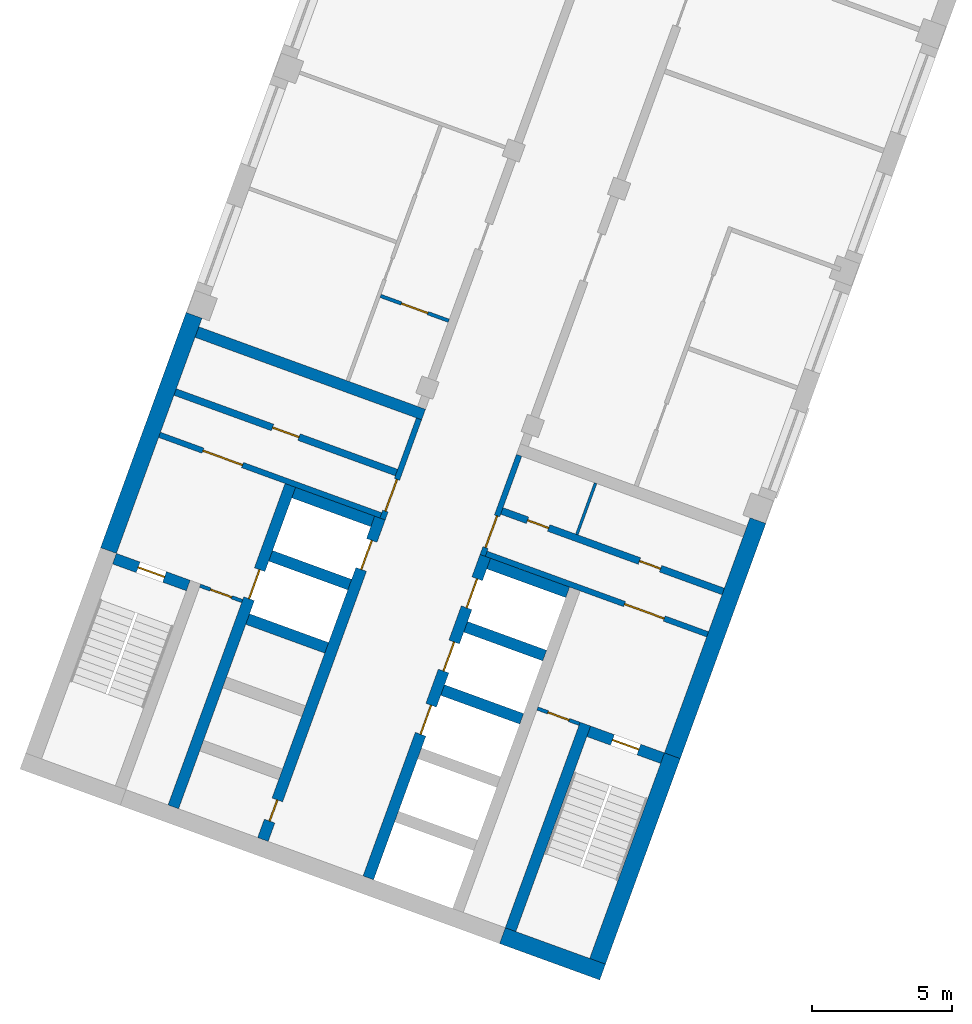
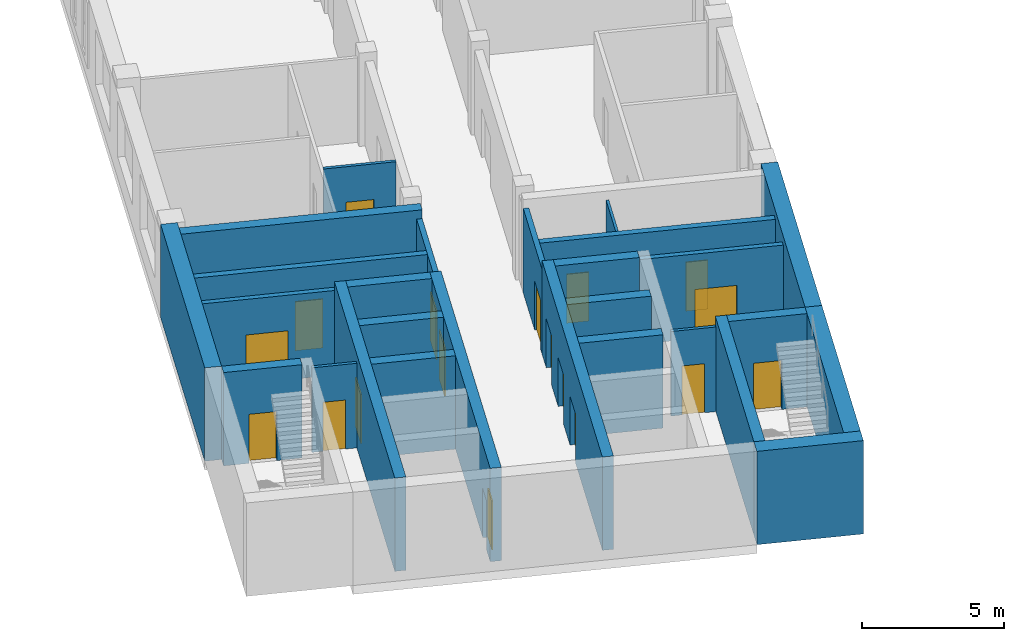
# One storey, part 2 of 10: 27 walls, 18 doors, 18 openings.
"""IFC4 building model written with IfcOpenShell, lengths in metres."""

import ifcopenshell
import ifcopenshell.guid

model = None  # the IFC model being written
_history = None  # IfcOwnerHistory: only IFC2X3 demands one
_inside = {}  # id of a spatial element -> (the spatial element, [elements in it])
_under = {}  # id of a project, library or spatial element -> (it, [spatial elements below it])
_declared = {}  # id of a project -> (the project, [libraries it declares])
_typed = {}  # id of a type object -> (the type object, [elements of that type])
_made_of = {}  # id of a material, layer set ... -> (it, [elements and type objects made of it])


def new_model(schema):
    """Start an empty IFC model of exactly this schema.

    Asked for "IFC4X3", IfcOpenShell would pick the latest addendum, in which some entities
    have other attributes; the version numbers below select the first issue.
    IFC2X3 requires an IfcOwnerHistory on every rooted entity: one is made here for all.
    """
    global model, _history
    if schema == "IFC4X3":
        model = ifcopenshell.file(schema_version=(4, 3, 0, 0))
    else:
        model = ifcopenshell.file(schema=schema)
    _inside.clear()
    _under.clear()
    _declared.clear()
    _typed.clear()
    _made_of.clear()
    _history = None
    if model.schema == "IFC2X3":
        org = make("IfcOrganization", Name="unknown")
        user = make(
            "IfcPersonAndOrganization",
            ThePerson=make("IfcPerson", FamilyName="unknown"),
            TheOrganization=org,
        )
        app = make(
            "IfcApplication",
            ApplicationDeveloper=org,
            Version="unknown",
            ApplicationFullName="unknown",
            ApplicationIdentifier="unknown",
        )
        _history = make(
            "IfcOwnerHistory",
            OwningUser=user,
            OwningApplication=app,
            ChangeAction="ADDED",
            CreationDate=0,
        )
    return model


def make(cls, **values):
    """One entity of the class cls with the attributes given. An attribute that is None is left unset."""
    return model.create_entity(
        cls, **{name: value for name, value in values.items() if value is not None}
    )


def rooted(cls, **values):
    """An entity with a GlobalId (a new one), such as an element, a storey or a relation."""
    return make(cls, GlobalId=ifcopenshell.guid.new(), OwnerHistory=_history, **values)


def si_unit(unit_type, name, prefix=None):
    """IfcSIUnit, for example si_unit("LENGTHUNIT", "METRE", prefix="MILLI")."""
    return make("IfcSIUnit", UnitType=unit_type, Prefix=prefix, Name=name)


def assignment(units):
    """IfcUnitAssignment: the units of a project."""
    return None if units is None else make("IfcUnitAssignment", Units=units)


def point(xyz):
    """IfcCartesianPoint."""
    return None if xyz is None else make("IfcCartesianPoint", Coordinates=xyz)


def direction(xyz):
    """IfcDirection."""
    return None if xyz is None else make("IfcDirection", DirectionRatios=xyz)


def frame(location, z_axis=None, x_axis=None):
    """IfcAxis2Placement3D, a coordinate frame: its origin and axes. An axis left out is left unset."""
    return make(
        "IfcAxis2Placement3D",
        Location=point(location),
        Axis=direction(z_axis),
        RefDirection=direction(x_axis),
    )


def frame_2d(location, x_axis=None):
    """IfcAxis2Placement2D, a coordinate frame in the plane: its origin and x axis."""
    return make(
        "IfcAxis2Placement2D", Location=point(location), RefDirection=direction(x_axis)
    )


def origin():
    """The frame at (0, 0, 0) with its axes left unset."""
    return frame((0.0, 0.0, 0.0))


def place(relative_to, where):
    """IfcLocalPlacement: puts the frame where relative to a parent placement (None: the world)."""
    return make(
        "IfcLocalPlacement", PlacementRelTo=relative_to, RelativePlacement=where
    )


def context(
    kind, dimensions, precision=None, world=None, true_north=None, identifier=None
):
    """IfcGeometricRepresentationContext, for example the 3D "Model" context."""
    return make(
        "IfcGeometricRepresentationContext",
        ContextIdentifier=identifier,
        ContextType=kind,
        CoordinateSpaceDimension=dimensions,
        Precision=precision,
        WorldCoordinateSystem=world,
        TrueNorth=true_north,
    )


def subcontext(parent, identifier, kind, view, scale=None):
    """IfcGeometricRepresentationSubContext, for example "Body" below "Model"."""
    return make(
        "IfcGeometricRepresentationSubContext",
        ContextIdentifier=identifier,
        ContextType=kind,
        ParentContext=parent,
        TargetScale=scale,
        TargetView=view,
    )


def project(units=None, contexts=None):
    """IfcProject with its units and contexts."""
    return rooted(
        "IfcProject",
        Name="project",
        RepresentationContexts=contexts,
        UnitsInContext=assignment(units),
    )


def spatial(cls, under=None, at=None, **own):
    """A site, building, storey or space (cls), placed at a placement, below another one or the project."""
    s = rooted(cls, ObjectPlacement=at, **own)
    if under is not None:
        _under.setdefault(under.id(), (under, []))[1].append(s)
    return s


def profile(cls, at=None, kind="AREA", **sizes):
    """A parametric profile (cls). Its sizes go by their IFC names, for example OverallWidth=200.0."""
    return make(cls, ProfileType=kind, Position=at, **sizes)


def rectangle(**sizes):
    """IfcRectangleProfileDef."""
    return profile("IfcRectangleProfileDef", **sizes)


def extrude(swept, where, along, depth):
    """IfcExtrudedAreaSolid: the profile swept, set in the frame where, extruded along a direction by depth."""
    return make(
        "IfcExtrudedAreaSolid",
        SweptArea=swept,
        Position=where,
        ExtrudedDirection=direction(along),
        Depth=depth,
    )


def shape(context_of_items, identifier, shape_type, items):
    """IfcShapeRepresentation: the items that make up one representation, for example the "Body"."""
    return make(
        "IfcShapeRepresentation",
        ContextOfItems=context_of_items,
        RepresentationIdentifier=identifier,
        RepresentationType=shape_type,
        Items=items,
    )


def material(Name=None, Category=None):
    """IfcMaterial."""
    return make("IfcMaterial", Name=Name, Category=Category)


def layer(
    of_material, thickness, ventilated=None, Name=None, Category=None, Priority=None
):
    """IfcMaterialLayer: one layer of a wall or slab, of a material (None: an air gap)."""
    return make(
        "IfcMaterialLayer",
        Material=of_material,
        LayerThickness=thickness,
        IsVentilated=ventilated,
        Name=Name,
        Category=Category,
        Priority=Priority,
    )


def layer_set(layers, Name=None):
    """IfcMaterialLayerSet."""
    return make("IfcMaterialLayerSet", MaterialLayers=layers, LayerSetName=Name)


def made_of(thing, what):
    """Note that an element or type object is made of a material, layer set ...; save() writes the relation."""
    if what is not None:
        _made_of.setdefault(what.id(), (what, []))[1].append(thing)
    return thing


def type_object(cls, material=None, **own):
    """A type object (cls), such as IfcWallType, which elements share."""
    return made_of(rooted(cls, **own), material)


def element(
    cls,
    number,
    at=None,
    inside=None,
    cuts=None,
    type_object=None,
    material=None,
    context=None,
    identifier="Body",
    shape_type=None,
    held_by="IfcProductDefinitionShape",
    body=None,
    shapes=None,
    **own,
):
    """One element of the class cls, such as IfcWall. Its Tag is "e" and its number.

    at: its placement. inside: the storey or other place that contains it. cuts: it is an
    opening in that element (IfcRelVoidsElement). A single representation is given by context,
    identifier, shape_type and body (its items); several are given by shapes. held_by: the class
    of the entity that holds the representations. save() writes the other relations.
    """
    e = rooted(cls, Tag="e%d" % number, ObjectPlacement=at, **own)
    if body is not None:
        shapes = [shape(context, identifier, shape_type, body)]
    if shapes is not None:
        e.Representation = make(held_by, Representations=shapes)
    if inside is not None:
        _inside.setdefault(inside.id(), (inside, []))[1].append(e)
    if cuts is not None:
        rooted(
            "IfcRelVoidsElement", RelatingBuildingElement=cuts, RelatedOpeningElement=e
        )
    if type_object is not None:
        _typed.setdefault(type_object.id(), (type_object, []))[1].append(e)
    return made_of(e, material)


def fill(opening, filler):
    """IfcRelFillsElement: the door or window that sits in an opening."""
    return rooted(
        "IfcRelFillsElement",
        RelatingOpeningElement=opening,
        RelatedBuildingElement=filler,
    )


def aggregate(whole, parts):
    """IfcRelAggregates: a whole, such as a stair, and the parts it consists of."""
    return rooted("IfcRelAggregates", RelatingObject=whole, RelatedObjects=parts)


def save(model, path):
    """Write the relations noted so far, then the file.

    IfcRelAggregates (storeys below a building ...), IfcRelContainedInSpatialStructure (elements
    in a storey), IfcRelDefinesByType, IfcRelAssociatesMaterial and IfcRelDeclares: one each for
    every whole, place, type object, material and project.
    """
    for whole, parts in _under.values():
        aggregate(whole, parts)
    for where, things in _inside.values():
        rooted(
            "IfcRelContainedInSpatialStructure",
            RelatedElements=things,
            RelatingStructure=where,
        )
    for kind, things in _typed.values():
        rooted("IfcRelDefinesByType", RelatedObjects=things, RelatingType=kind)
    for what, things in _made_of.values():
        rooted("IfcRelAssociatesMaterial", RelatedObjects=things, RelatingMaterial=what)
    for by, libraries in _declared.values():
        rooted("IfcRelDeclares", RelatingContext=by, RelatedDefinitions=libraries)
    model.write(path)


model = new_model("IFC4")

# Units and contexts
model_context = context("Model", 3, precision=1e-05, world=origin(), true_north=direction((0.0, 1.0)))
body_context = subcontext(model_context, "Body", "Model", "MODEL_VIEW")
ifc_project = project(units=[si_unit("LENGTHUNIT", "METRE"), si_unit("AREAUNIT", "SQUARE_METRE"), si_unit("VOLUMEUNIT", "CUBIC_METRE"), si_unit("PLANEANGLEUNIT", "RADIAN"), si_unit("MASSUNIT", "GRAM", prefix="KILO")], contexts=[model_context])

# Site, building, storey
site_placement = place(None, origin())
site = spatial("IfcSite", under=ifc_project, at=site_placement, CompositionType="ELEMENT")
building_placement = place(site_placement, origin())
building = spatial("IfcBuilding", under=site, at=building_placement, Name="Skarvind Civic Tower", CompositionType="ELEMENT")
storey_placement = place(building_placement, frame((0.0, 0.0, 97.0)))
storey = spatial("IfcBuildingStorey", under=building, at=storey_placement, Name="L22", CompositionType="ELEMENT", Elevation=97.0)

# Wall, opening, door
ifc_material_1 = material(Name="Fire-rated masonry partition", Category="masonry")
ifc_layer_1 = layer(ifc_material_1, 0.199951171875)
ifc_layer_set_1 = layer_set([ifc_layer_1], Name="Core enclosure wall 200")
wall_type_1 = type_object("IfcWallType", Name="Core enclosure wall 200", PredefinedType="PARTITIONING", material=ifc_layer_set_1)
wall_1_placement = place(storey_placement, frame((31.491455078125, 93.693359375, 0.0), z_axis=(0.0, 0.0, 1.0), x_axis=(0.341995824804, 0.939701471648, 0.0)))
wall_1 = element("IfcWall", 1, at=wall_1_placement, inside=storey, type_object=wall_type_1, Name="Core wall C2", PredefinedType="PARTITIONING", context=body_context, shape_type="SweptSolid", body=[
    extrude(rectangle(XDim=3.800048828125, YDim=0.199951171875, at=frame_2d((1.89990234375, 0.0))), origin(), (0.0, 0.0, 1.0), 3.625),
])
opening_1_placement = place(wall_1_placement, frame((0.300048828125, 0.0, 0.0)))
opening_1 = element("IfcOpeningElement", 2, at=opening_1_placement, cuts=wall_1, Name="Opening D-L22-C2-06", PredefinedType="OPENING", context=body_context, shape_type="SweptSolid", body=[
    extrude(rectangle(XDim=1.199951171875, YDim=2.10009765625, at=frame_2d((0.60009765625, 1.050048828125))), frame((0.0, 0.10986328125, 0.0), z_axis=(0.0, -1.0, 0.0), x_axis=(1.0, 0.0, 0.0)), (0.0, 0.0, 1.0), 0.219970703125),
])
ifc_material_2 = material(Name="Fire-rated steel door", Category="steel")
door_type_1 = type_object("IfcDoorType", Name="Core lobby door 1200", OperationType="NOTDEFINED", PredefinedType="DOOR", material=ifc_material_2)
door_1_placement = place(opening_1_placement, origin())
door_1 = element("IfcDoor", 3, at=door_1_placement, inside=storey, type_object=door_type_1, Name="Fire door", OperationType="DOUBLE_DOOR_SINGLE_SWING", OverallHeight=2.10009765625, OverallWidth=1.199951171875, PredefinedType="DOOR", context=body_context, shape_type="SweptSolid", body=[
    extrude(rectangle(XDim=1.199951171875, YDim=2.10009765625, at=frame_2d((0.60009765625, 1.050048828125))), frame((0.0, 0.02490234375, 0.0), z_axis=(0.0, -1.0, 0.0), x_axis=(1.0, 0.0, 0.0)), (0.0, 0.0, 1.0), 0.050048828125),
])
fill(opening_1, door_1)

wall_2_placement = place(storey_placement, frame((23.5380859375, 96.6943359375, 0.0), z_axis=(0.0, 0.0, 1.0), x_axis=(0.939691552312, -0.342023078919, 0.0)))
wall_2 = element("IfcWall", 4, at=wall_2_placement, inside=storey, type_object=wall_type_1, Name="Core wall C2", PredefinedType="PARTITIONING", context=body_context, shape_type="SweptSolid", body=[
    extrude(rectangle(XDim=8.400146484375, YDim=0.199951171875, at=frame_2d((4.2001953125, 0.0))), origin(), (0.0, 0.0, 1.0), 3.625),
])
opening_2_placement = place(wall_2_placement, frame((1.64990234375, 0.0, 0.0)))
opening_2 = element("IfcOpeningElement", 5, at=opening_2_placement, cuts=wall_2, Name="Opening D-L22-C2-07", PredefinedType="OPENING", context=body_context, shape_type="SweptSolid", body=[
    extrude(rectangle(XDim=1.5, YDim=2.10009765625, at=frame_2d((0.75, 1.050048828125))), frame((0.0, 0.10986328125, 0.0), z_axis=(0.0, -1.0, 0.0), x_axis=(1.0, 0.0, 0.0)), (0.0, 0.0, 1.0), 0.219970703125),
])
door_type_2 = type_object("IfcDoorType", Name="Fire door 1500", OperationType="NOTDEFINED", PredefinedType="DOOR", material=ifc_material_2)
door_2_placement = place(opening_2_placement, origin())
door_2 = element("IfcDoor", 6, at=door_2_placement, inside=storey, type_object=door_type_2, Name="Fire door", OperationType="DOUBLE_DOOR_SINGLE_SWING", OverallHeight=2.10009765625, OverallWidth=1.5, PredefinedType="DOOR", context=body_context, shape_type="SweptSolid", body=[
    extrude(rectangle(XDim=1.5, YDim=2.10009765625, at=frame_2d((0.75, 1.050048828125))), frame((0.0, 0.02490234375, 0.0), z_axis=(0.0, -1.0, 0.0), x_axis=(1.0, 0.0, 0.0)), (0.0, 0.0, 1.0), 0.050048828125),
])
fill(opening_2, door_2)

wall_3_placement = place(storey_placement, frame((36.36181640625, 95.96435546875, 0.0), z_axis=(0.0, 0.0, 1.0), x_axis=(-0.341995824804, -0.939701471648, 0.0)))
wall_3 = element("IfcWall", 7, at=wall_3_placement, inside=storey, type_object=wall_type_1, Name="Core wall C2", PredefinedType="PARTITIONING", context=body_context, shape_type="SweptSolid", body=[
    extrude(rectangle(XDim=3.800048828125, YDim=0.199951171875, at=frame_2d((1.89990234375, 0.0))), origin(), (0.0, 0.0, 1.0), 3.625),
])
opening_3_placement = place(wall_3_placement, frame((2.300048828125, 0.0, 0.0)))
opening_3 = element("IfcOpeningElement", 8, at=opening_3_placement, cuts=wall_3, Name="Opening D-L22-C2-11", PredefinedType="OPENING", context=body_context, shape_type="SweptSolid", body=[
    extrude(rectangle(XDim=1.199951171875, YDim=2.10009765625, at=frame_2d((0.60009765625, 1.050048828125))), frame((0.0, 0.10986328125, 0.0), z_axis=(0.0, -1.0, 0.0), x_axis=(1.0, 0.0, 0.0)), (0.0, 0.0, 1.0), 0.219970703125),
])
door_3_placement = place(opening_3_placement, origin())
door_3 = element("IfcDoor", 9, at=door_3_placement, inside=storey, type_object=door_type_1, Name="Fire door", OperationType="DOUBLE_DOOR_SINGLE_SWING", OverallHeight=2.10009765625, OverallWidth=1.199951171875, PredefinedType="DOOR", context=body_context, shape_type="SweptSolid", body=[
    extrude(rectangle(XDim=1.199951171875, YDim=2.10009765625, at=frame_2d((0.60009765625, 1.050048828125))), frame((0.0, 0.02490234375, 0.0), z_axis=(0.0, -1.0, 0.0), x_axis=(1.0, 0.0, 0.0)), (0.0, 0.0, 1.0), 0.050048828125),
])
fill(opening_3, door_3)

wall_4_placement = place(storey_placement, frame((35.1904296875, 92.453369140625, 0.0), z_axis=(0.0, 0.0, 1.0), x_axis=(0.939691552312, -0.342023078919, 0.0)))
wall_4 = element("IfcWall", 10, at=wall_4_placement, inside=storey, type_object=wall_type_1, Name="Core wall C2", PredefinedType="PARTITIONING", context=body_context, shape_type="SweptSolid", body=[
    extrude(rectangle(XDim=8.400146484375, YDim=0.199951171875, at=frame_2d((4.2001953125, 0.0))), origin(), (0.0, 0.0, 1.0), 3.625),
])
opening_4_placement = place(wall_4_placement, frame((5.25, 0.0, 0.0)))
opening_4 = element("IfcOpeningElement", 11, at=opening_4_placement, cuts=wall_4, Name="Opening D-L22-C2-12", PredefinedType="OPENING", context=body_context, shape_type="SweptSolid", body=[
    extrude(rectangle(XDim=1.5, YDim=2.10009765625, at=frame_2d((0.75, 1.050048828125))), frame((0.0, 0.10986328125, 0.0), z_axis=(0.0, -1.0, 0.0), x_axis=(1.0, 0.0, 0.0)), (0.0, 0.0, 1.0), 0.219970703125),
])
door_4_placement = place(opening_4_placement, origin())
door_4 = element("IfcDoor", 12, at=door_4_placement, inside=storey, type_object=door_type_2, Name="Fire door", OperationType="DOUBLE_DOOR_SINGLE_SWING", OverallHeight=2.10009765625, OverallWidth=1.5, PredefinedType="DOOR", context=body_context, shape_type="SweptSolid", body=[
    extrude(rectangle(XDim=1.5, YDim=2.10009765625, at=frame_2d((0.75, 1.050048828125))), frame((0.0, 0.02490234375, 0.0), z_axis=(0.0, -1.0, 0.0), x_axis=(1.0, 0.0, 0.0)), (0.0, 0.0, 1.0), 0.050048828125),
])
fill(opening_4, door_4)

# Walls
ifc_material_3 = material(Name="Fire-rated plasterboard partition")
ifc_layer_2 = layer(ifc_material_3, 0.10009765625)
ifc_layer_set_2 = layer_set([ifc_layer_2], Name="Core partition wall 100")
wall_type_2 = type_object("IfcWallType", Name="Core partition wall 100", PredefinedType="PARTITIONING", material=ifc_layer_set_2)
wall_5_placement = place(storey_placement, frame((39.087158203125, 94.97265625, 0.0), z_axis=(0.0, 0.0, 1.0), x_axis=(-0.342024501273, -0.939691034611, 0.0)))
element("IfcWall", 13, at=wall_5_placement, inside=storey, type_object=wall_type_2, Name="Core wall C2", PredefinedType="PARTITIONING", context=body_context, shape_type="SweptSolid", body=[
    extrude(rectangle(XDim=1.9501953125, YDim=0.10009765625, at=frame_2d((0.97509765625, 0.0))), origin(), (0.0, 0.0, 1.0), 3.625),
])
ifc_material_4 = material(Name="Concrete C80", Category="concrete")
ifc_layer_3 = layer(ifc_material_4, 0.39990234375)
ifc_layer_set_3 = layer_set([ifc_layer_3], Name="Core wall 400 C80")
wall_type_3 = type_object("IfcWallType", Name="Core wall 400 C80", PredefinedType="SHEAR", material=ifc_layer_set_3)
wall_6_placement = place(storey_placement, frame((36.057861328125, 79.04833984375, 0.0), z_axis=(0.0, 0.0, 1.0), x_axis=(0.342016982193, 0.939693771338, 0.0)))
element("IfcWall", 14, at=wall_6_placement, inside=storey, type_object=wall_type_3, Name="Core wall C2 south stair inner L22", PredefinedType="SHEAR", context=body_context, shape_type="SweptSolid", body=[
    extrude(rectangle(XDim=7.800048828125, YDim=0.39990234375, at=frame_2d((3.89990234375, 0.0))), origin(), (0.0, 0.0, 1.0), 4.0),
])

# Wall, opening, door
wall_7_placement = place(storey_placement, frame((41.476318359375, 85.163818359375, 0.0), z_axis=(0.0, 0.0, 1.0), x_axis=(-0.939678810556, 0.342058084236, 0.0)))
wall_7 = element("IfcWall", 15, at=wall_7_placement, inside=storey, type_object=wall_type_3, Name="Core wall C2 south stair end L22", PredefinedType="SHEAR", context=body_context, shape_type="SweptSolid", body=[
    extrude(rectangle(XDim=2.800048828125, YDim=0.39990234375, at=frame_2d((1.39990234375, 0.0))), origin(), (0.0, 0.0, 1.0), 4.0),
])
opening_5_placement = place(wall_7_placement, frame((0.89990234375, 0.0, 0.0)))
opening_5 = element("IfcOpeningElement", 16, at=opening_5_placement, cuts=wall_7, Name="Opening D-L22-C2-13", PredefinedType="OPENING", context=body_context, shape_type="SweptSolid", body=[
    extrude(rectangle(XDim=1.0, YDim=2.10009765625, at=frame_2d((0.5, 1.050048828125))), frame((0.0, 0.2099609375, 0.0), z_axis=(0.0, -1.0, 0.0), x_axis=(1.0, 0.0, 0.0)), (0.0, 0.0, 1.0), 0.419921875),
])
door_type_3 = type_object("IfcDoorType", Name="Fire door 1000", OperationType="NOTDEFINED", PredefinedType="DOOR", material=ifc_material_2)
door_5_placement = place(opening_5_placement, origin())
door_5 = element("IfcDoor", 17, at=door_5_placement, inside=storey, type_object=door_type_3, Name="Fire door", OperationType="SINGLE_SWING_RIGHT", OverallHeight=2.10009765625, OverallWidth=1.0, PredefinedType="DOOR", context=body_context, shape_type="SweptSolid", body=[
    extrude(rectangle(XDim=1.0, YDim=2.10009765625, at=frame_2d((0.5, 1.050048828125))), frame((0.0, 0.02490234375, 0.0), z_axis=(0.0, -1.0, 0.0), x_axis=(1.0, 0.0, 0.0)), (0.0, 0.0, 1.0), 0.050048828125),
])
fill(opening_5, door_5)

wall_8_placement = place(storey_placement, frame((24.56201171875, 91.3203125, 0.0), z_axis=(0.0, 0.0, 1.0), x_axis=(-0.939717030584, 0.341953070509, 0.0)))
wall_8 = element("IfcWall", 18, at=wall_8_placement, inside=storey, type_object=wall_type_3, Name="Core wall C2 north stair end L22", PredefinedType="SHEAR", context=body_context, shape_type="SweptSolid", body=[
    extrude(rectangle(XDim=2.800048828125, YDim=0.39990234375, at=frame_2d((1.39990234375, 0.0))), origin(), (0.0, 0.0, 1.0), 4.0),
])
opening_6_placement = place(wall_8_placement, frame((0.89990234375, 0.0, 0.0)))
opening_6 = element("IfcOpeningElement", 19, at=opening_6_placement, cuts=wall_8, Name="Opening D-L22-C2-08", PredefinedType="OPENING", context=body_context, shape_type="SweptSolid", body=[
    extrude(rectangle(XDim=1.0, YDim=2.10009765625, at=frame_2d((0.5, 1.050048828125))), frame((0.0, 0.2099609375, 0.0), z_axis=(0.0, -1.0, 0.0), x_axis=(1.0, 0.0, 0.0)), (0.0, 0.0, 1.0), 0.419921875),
])
door_6_placement = place(opening_6_placement, origin())
door_6 = element("IfcDoor", 20, at=door_6_placement, inside=storey, type_object=door_type_3, Name="Fire door", OperationType="SINGLE_SWING_LEFT", OverallHeight=2.10009765625, OverallWidth=1.0, PredefinedType="DOOR", context=body_context, shape_type="SweptSolid", body=[
    extrude(rectangle(XDim=1.0, YDim=2.10009765625, at=frame_2d((0.5, 1.050048828125))), frame((0.0, 0.02490234375, 0.0), z_axis=(0.0, -1.0, 0.0), x_axis=(1.0, 0.0, 0.0)), (0.0, 0.0, 1.0), 0.050048828125),
])
fill(opening_6, door_6)

# Wall, openings, doors
wall_9_placement = place(storey_placement, frame((30.983642578125, 80.895263671875, 0.0), z_axis=(0.0, 0.0, 1.0), x_axis=(0.342021021735, 0.939692301071, 0.0)))
wall_9 = element("IfcWall", 21, at=wall_9_placement, inside=storey, type_object=wall_type_3, Name="Core wall C2 south lift row front L22", PredefinedType="SHEAR", context=body_context, shape_type="SweptSolid", body=[
    extrude(rectangle(XDim=12.199951171875, YDim=0.39990234375, at=frame_2d((6.10009765625, 0.0))), origin(), (0.0, 0.0, 1.0), 4.0),
])
opening_7_placement = place(wall_9_placement, frame((5.449951171875, 0.0, 0.0)))
opening_7 = element("IfcOpeningElement", 22, at=opening_7_placement, cuts=wall_9, Name="Opening LD24208", PredefinedType="OPENING", context=body_context, shape_type="SweptSolid", body=[
    extrude(rectangle(XDim=1.10009765625, YDim=2.10009765625, at=frame_2d((0.550048828125, 1.050048828125))), frame((0.0, 0.2099609375, 0.0), z_axis=(0.0, -1.0, 0.0), x_axis=(1.0, 0.0, 0.0)), (0.0, 0.0, 1.0), 0.419921875),
])
opening_8_placement = place(wall_9_placement, frame((7.85009765625, 0.0, 0.0)))
opening_8 = element("IfcOpeningElement", 23, at=opening_8_placement, cuts=wall_9, Name="Opening LD24209", PredefinedType="OPENING", context=body_context, shape_type="SweptSolid", body=[
    extrude(rectangle(XDim=1.10009765625, YDim=2.10009765625, at=frame_2d((0.550048828125, 1.050048828125))), frame((0.0, 0.2099609375, 0.0), z_axis=(0.0, -1.0, 0.0), x_axis=(1.0, 0.0, 0.0)), (0.0, 0.0, 1.0), 0.419921875),
])
opening_9_placement = place(wall_9_placement, frame((10.25, 0.0, 0.0)))
opening_9 = element("IfcOpeningElement", 24, at=opening_9_placement, cuts=wall_9, Name="Opening LD24210", PredefinedType="OPENING", context=body_context, shape_type="SweptSolid", body=[
    extrude(rectangle(XDim=1.10009765625, YDim=2.10009765625, at=frame_2d((0.550048828125, 1.050048828125))), frame((0.0, 0.2099609375, 0.0), z_axis=(0.0, -1.0, 0.0), x_axis=(1.0, 0.0, 0.0)), (0.0, 0.0, 1.0), 0.419921875),
])
ifc_material_5 = material(Name="Stainless steel landing door", Category="steel")
door_type_4 = type_object("IfcDoorType", Name="Lift landing door 1100", OperationType="DOUBLE_DOOR_SLIDING", PredefinedType="DOOR", material=ifc_material_5)
door_7_placement = place(opening_7_placement, origin())
door_7 = element("IfcDoor", 25, at=door_7_placement, inside=storey, type_object=door_type_4, Name="Lift landing door", OperationType="DOUBLE_DOOR_SLIDING", OverallHeight=2.10009765625, OverallWidth=1.10009765625, PredefinedType="DOOR", context=body_context, shape_type="SweptSolid", body=[
    extrude(rectangle(XDim=1.10009765625, YDim=2.10009765625, at=frame_2d((0.550048828125, 1.050048828125))), frame((0.0, 0.02490234375, 0.0), z_axis=(0.0, -1.0, 0.0), x_axis=(1.0, 0.0, 0.0)), (0.0, 0.0, 1.0), 0.050048828125),
])
fill(opening_7, door_7)
door_8_placement = place(opening_8_placement, origin())
door_8 = element("IfcDoor", 26, at=door_8_placement, inside=storey, type_object=door_type_4, Name="Lift landing door", OperationType="DOUBLE_DOOR_SLIDING", OverallHeight=2.10009765625, OverallWidth=1.10009765625, PredefinedType="DOOR", context=body_context, shape_type="SweptSolid", body=[
    extrude(rectangle(XDim=1.10009765625, YDim=2.10009765625, at=frame_2d((0.550048828125, 1.050048828125))), frame((0.0, 0.02490234375, 0.0), z_axis=(0.0, -1.0, 0.0), x_axis=(1.0, 0.0, 0.0)), (0.0, 0.0, 1.0), 0.050048828125),
])
fill(opening_8, door_8)
door_9_placement = place(opening_9_placement, origin())
door_9 = element("IfcDoor", 27, at=door_9_placement, inside=storey, type_object=door_type_4, Name="Lift landing door", OperationType="DOUBLE_DOOR_SLIDING", OverallHeight=2.10009765625, OverallWidth=1.10009765625, PredefinedType="DOOR", context=body_context, shape_type="SweptSolid", body=[
    extrude(rectangle(XDim=1.10009765625, YDim=2.10009765625, at=frame_2d((0.550048828125, 1.050048828125))), frame((0.0, 0.02490234375, 0.0), z_axis=(0.0, -1.0, 0.0), x_axis=(1.0, 0.0, 0.0)), (0.0, 0.0, 1.0), 0.050048828125),
])
fill(opening_9, door_9)

# Walls
for number, where, z_axis, x_axis, name in (
    (28, (36.453125, 86.56640625, 0.0), (0.0, 0.0, 1.0), (-0.939686455819, 0.342037080957, 0.0), "Core wall C2 south lift row division 3 L22"),
    (29, (37.27392578125, 88.82177734375, 0.0), (0.0, 0.0, 1.0), (-0.939686455819, 0.342037080957, 0.0), "Core wall C2 south lift row division 4 L22"),
):
    element("IfcWall", number, at=place(storey_placement, frame(where, z_axis=z_axis, x_axis=x_axis)), inside=storey, type_object=wall_type_3, Name=name, PredefinedType="SHEAR", context=body_context, shape_type="SweptSolid", body=[
        extrude(rectangle(XDim=3.0, YDim=0.39990234375, at=frame_2d((1.5, 0.0))), origin(), (0.0, 0.0, 1.0), 4.0),
    ])
wall_10_placement = place(storey_placement, frame((38.0947265625, 91.076904296875, 0.0), z_axis=(0.0, 0.0, 1.0), x_axis=(-0.939676934218, 0.342063238742, 0.0)))
element("IfcWall", 30, at=wall_10_placement, inside=storey, type_object=wall_type_3, Name="Core wall C2 south lift row division 5 L22", PredefinedType="SHEAR", context=body_context, shape_type="SweptSolid", body=[
    extrude(rectangle(XDim=2.999755859375, YDim=0.39990234375, at=frame_2d((1.5, 0.0))), origin(), (0.0, 0.0, 1.0), 4.0),
])

# Wall, openings, doors
wall_11_placement = place(storey_placement, frame((27.224853515625, 82.26318359375, 0.0), z_axis=(0.0, 0.0, 1.0), x_axis=(0.342014590177, 0.939694641948, 0.0)))
wall_11 = element("IfcWall", 31, at=wall_11_placement, inside=storey, type_object=wall_type_3, Name="Core wall C2 north lift row front L22", PredefinedType="SHEAR", context=body_context, shape_type="SweptSolid", body=[
    extrude(rectangle(XDim=12.2001953125, YDim=0.39990234375, at=frame_2d((6.10009765625, 0.0))), origin(), (0.0, 0.0, 1.0), 4.0),
])
opening_10_placement = place(wall_11_placement, frame((10.25, 0.0, 0.0)))
opening_10 = element("IfcOpeningElement", 32, at=opening_10_placement, cuts=wall_11, Name="Opening LD24205", PredefinedType="OPENING", context=body_context, shape_type="SweptSolid", body=[
    extrude(rectangle(XDim=1.10009765625, YDim=2.10009765625, at=frame_2d((0.550048828125, 1.050048828125))), frame((0.0, 0.2099609375, 0.0), z_axis=(0.0, -1.0, 0.0), x_axis=(1.0, 0.0, 0.0)), (0.0, 0.0, 1.0), 0.419921875),
])
opening_11_placement = place(wall_11_placement, frame((0.699951171875, 0.0, 0.0)))
opening_11 = element("IfcOpeningElement", 33, at=opening_11_placement, cuts=wall_11, Name="Opening D-L22-C2-05", PredefinedType="OPENING", context=body_context, shape_type="SweptSolid", body=[
    extrude(rectangle(XDim=0.800048828125, YDim=2.10009765625, at=frame_2d((0.39990234375, 1.050048828125))), frame((0.0, 0.2099609375, 0.0), z_axis=(0.0, -1.0, 0.0), x_axis=(1.0, 0.0, 0.0)), (0.0, 0.0, 1.0), 0.419921875),
])
door_type_5 = type_object("IfcDoorType", Name="Core riser door 800", OperationType="NOTDEFINED", PredefinedType="DOOR", material=ifc_material_2)
door_10_placement = place(opening_11_placement, origin())
door_10 = element("IfcDoor", 34, at=door_10_placement, inside=storey, type_object=door_type_5, Name="Riser door", OperationType="SINGLE_SWING_LEFT", OverallHeight=2.10009765625, OverallWidth=0.800048828125, PredefinedType="DOOR", context=body_context, shape_type="SweptSolid", body=[
    extrude(rectangle(XDim=0.800048828125, YDim=2.10009765625, at=frame_2d((0.39990234375, 1.050048828125))), frame((0.0, 0.02490234375, 0.0), z_axis=(0.0, -1.0, 0.0), x_axis=(1.0, 0.0, 0.0)), (0.0, 0.0, 1.0), 0.050048828125),
])
fill(opening_11, door_10)
door_11_placement = place(opening_10_placement, origin())
door_11 = element("IfcDoor", 35, at=door_11_placement, inside=storey, type_object=door_type_4, Name="Lift landing door", OperationType="DOUBLE_DOOR_SLIDING", OverallHeight=2.10009765625, OverallWidth=1.10009765625, PredefinedType="DOOR", context=body_context, shape_type="SweptSolid", body=[
    extrude(rectangle(XDim=1.10009765625, YDim=2.10009765625, at=frame_2d((0.550048828125, 1.050048828125))), frame((0.0, 0.02490234375, 0.0), z_axis=(0.0, -1.0, 0.0), x_axis=(1.0, 0.0, 0.0)), (0.0, 0.0, 1.0), 0.050048828125),
])
fill(opening_10, door_11)

# Wall, opening, door
wall_12_placement = place(storey_placement, frame((24.02978515625, 83.426025390625, 0.0), z_axis=(0.0, 0.0, 1.0), x_axis=(0.342014590177, 0.939694641948, 0.0)))
wall_12 = element("IfcWall", 36, at=wall_12_placement, inside=storey, type_object=wall_type_3, Name="Core wall C2 north lift row back L22", PredefinedType="SHEAR", context=body_context, shape_type="SweptSolid", body=[
    extrude(rectangle(XDim=12.2001953125, YDim=0.39990234375, at=frame_2d((6.10009765625, 0.0))), origin(), (0.0, 0.0, 1.0), 4.0),
])
opening_12_placement = place(wall_12_placement, frame((7.89990234375, 0.0, 0.0)))
opening_12 = element("IfcOpeningElement", 37, at=opening_12_placement, cuts=wall_12, Name="Opening LD24204", PredefinedType="OPENING", context=body_context, shape_type="SweptSolid", body=[
    extrude(rectangle(XDim=1.10009765625, YDim=2.10009765625, at=frame_2d((0.550048828125, 1.050048828125))), frame((0.0, 0.2099609375, 0.0), z_axis=(0.0, -1.0, 0.0), x_axis=(1.0, 0.0, 0.0)), (0.0, 0.0, 1.0), 0.419921875),
])
door_12_placement = place(opening_12_placement, origin())
door_12 = element("IfcDoor", 38, at=door_12_placement, inside=storey, type_object=door_type_4, Name="Lift landing door", OperationType="DOUBLE_DOOR_SLIDING", OverallHeight=2.10009765625, OverallWidth=1.10009765625, PredefinedType="DOOR", context=body_context, shape_type="SweptSolid", body=[
    extrude(rectangle(XDim=1.10009765625, YDim=2.10009765625, at=frame_2d((0.550048828125, 1.050048828125))), frame((0.0, 0.02490234375, 0.0), z_axis=(0.0, -1.0, 0.0), x_axis=(1.0, 0.0, 0.0)), (0.0, 0.0, 1.0), 0.050048828125),
])
fill(opening_12, door_12)

# Walls
for number, where, z_axis, x_axis, name in (
    (39, (29.49951171875, 89.097412109375, 0.0), (0.0, 0.0, 1.0), (-0.939686455819, 0.342037080957, 0.0), "Core wall C2 north lift row division 3 L22"),
    (40, (30.3203125, 91.352783203125, 0.0), (0.0, 0.0, 1.0), (-0.939712609717, 0.341965219194, 0.0), "Core wall C2 north lift row division 4 L22"),
    (41, (31.14111328125, 93.60791015625, 0.0), (0.0, 0.0, 1.0), (-0.939686455819, 0.342037080957, 0.0), "Core wall C2 north lift row division 5 L22"),
):
    element("IfcWall", number, at=place(storey_placement, frame(where, z_axis=z_axis, x_axis=x_axis)), inside=storey, type_object=wall_type_3, Name=name, PredefinedType="SHEAR", context=body_context, shape_type="SweptSolid", body=[
        extrude(rectangle(XDim=3.0, YDim=0.39990234375, at=frame_2d((1.5, 0.0))), origin(), (0.0, 0.0, 1.0), 4.0),
    ])
wall_13_placement = place(storey_placement, frame((32.953369140625, 97.417724609375, 0.0), z_axis=(0.0, 0.0, 1.0), x_axis=(-0.93969060187, 0.342025690201, 0.0)))
element("IfcWall", 42, at=wall_13_placement, inside=storey, type_object=wall_type_3, Name="Core wall C2 north inner face L22", PredefinedType="SHEAR", context=body_context, shape_type="SweptSolid", body=[
    extrude(rectangle(XDim=8.599853515625, YDim=0.39990234375, at=frame_2d((4.2998046875, 0.0))), origin(), (0.0, 0.0, 1.0), 4.0),
])
ifc_layer_4 = layer(ifc_material_4, 0.60009765625)
ifc_layer_set_4 = layer_set([ifc_layer_4], Name="Core wall 600 C80")
wall_type_4 = type_object("IfcWallType", Name="Core wall 600 C80", PredefinedType="SHEAR", material=ifc_layer_set_4)
wall_14_placement = place(storey_placement, frame((39.338134765625, 77.53515625, 0.0), z_axis=(0.0, 0.0, 1.0), x_axis=(-0.939701471648, 0.341995824804, 0.0)))
element("IfcWall", 43, at=wall_14_placement, inside=storey, type_object=wall_type_4, Name="Core wall C2 tip at the south stair L22", PredefinedType="SHEAR", context=body_context, shape_type="SweptSolid", body=[
    extrude(rectangle(XDim=3.800048828125, YDim=0.60009765625, at=frame_2d((1.89990234375, 0.0))), origin(), (0.0, 0.0, 1.0), 4.0),
])
wall_15_placement = place(storey_placement, frame((39.158935546875, 77.919677734375, 0.0), z_axis=(0.0, 0.0, 1.0), x_axis=(0.342016982193, 0.939693771338, 0.0)))
element("IfcWall", 44, at=wall_15_placement, inside=storey, type_object=wall_type_4, Name="Core wall C2 south side at the stair L22", PredefinedType="SHEAR", context=body_context, shape_type="SweptSolid", body=[
    extrude(rectangle(XDim=7.800048828125, YDim=0.60009765625, at=frame_2d((3.89990234375, 0.0))), origin(), (0.0, 0.0, 1.0), 4.0),
])
for number, where, z_axis, x_axis, name in (
    (45, (41.82666015625, 85.249267578125, 0.0), (0.0, 0.0, 1.0), (0.342017595281, 0.939693548195, 0.0), "Core wall C2 south side L22"),
    (46, (21.71728515625, 92.568359375, 0.0), (0.0, 0.0, 1.0), (0.342017595281, 0.939693548195, 0.0), "Core wall C2 north side L22"),
):
    element("IfcWall", number, at=place(storey_placement, frame(where, z_axis=z_axis, x_axis=x_axis)), inside=storey, type_object=wall_type_4, Name=name, PredefinedType="SHEAR", context=body_context, shape_type="SweptSolid", body=[
        extrude(rectangle(XDim=8.925048828125, YDim=0.60009765625, at=frame_2d((4.46240234375, 0.0))), origin(), (0.0, 0.0, 1.0), 4.0),
    ])

# Wall, opening, door
ifc_layer_5 = layer(ifc_material_1, 0.125)
ifc_layer_set_5 = layer_set([ifc_layer_5], Name="Riser wall 125")
wall_type_5 = type_object("IfcWallType", Name="Riser wall 125", PredefinedType="PARTITIONING", material=ifc_layer_set_5)
wall_16_placement = place(storey_placement, frame((24.98486328125, 91.3125, 0.0), z_axis=(0.0, 0.0, 1.0), x_axis=(0.939708740826, -0.341975850632, 0.0)))
wall_16 = element("IfcWall", 47, at=wall_16_placement, inside=storey, type_object=wall_type_5, Name="Core wall C2", PredefinedType="PARTITIONING", context=body_context, shape_type="SweptSolid", body=[
    extrude(rectangle(XDim=1.599853515625, YDim=0.125, at=frame_2d((0.7998046875, 0.0))), origin(), (0.0, 0.0, 1.0), 3.625),
])
opening_13_placement = place(wall_16_placement, frame((0.39990234375, 0.0, 0.0)))
opening_13 = element("IfcOpeningElement", 48, at=opening_13_placement, cuts=wall_16, Name="Opening D-L22-C2-09", PredefinedType="OPENING", context=body_context, shape_type="SweptSolid", body=[
    extrude(rectangle(XDim=0.800048828125, YDim=2.10009765625, at=frame_2d((0.39990234375, 1.050048828125))), frame((0.0, 0.072509765625, 0.0), z_axis=(0.0, -1.0, 0.0), x_axis=(1.0, 0.0, 0.0)), (0.0, 0.0, 1.0), 0.14501953125),
])
door_13_placement = place(opening_13_placement, origin())
door_13 = element("IfcDoor", 49, at=door_13_placement, inside=storey, type_object=door_type_5, Name="Riser door", OperationType="SINGLE_SWING_RIGHT", OverallHeight=2.10009765625, OverallWidth=0.800048828125, PredefinedType="DOOR", context=body_context, shape_type="SweptSolid", body=[
    extrude(rectangle(XDim=0.800048828125, YDim=2.10009765625, at=frame_2d((0.39990234375, 1.050048828125))), frame((0.0, 0.02490234375, 0.0), z_axis=(0.0, -1.0, 0.0), x_axis=(1.0, 0.0, 0.0)), (0.0, 0.0, 1.0), 0.050048828125),
])
fill(opening_13, door_13)

wall_17_placement = place(storey_placement, frame((37.012939453125, 86.934814453125, 0.0), z_axis=(0.0, 0.0, 1.0), x_axis=(0.939659694648, -0.342110593602, 0.0)))
wall_17 = element("IfcWall", 50, at=wall_17_placement, inside=storey, type_object=wall_type_5, Name="Core wall C2", PredefinedType="PARTITIONING", context=body_context, shape_type="SweptSolid", body=[
    extrude(rectangle(XDim=1.599853515625, YDim=0.125, at=frame_2d((0.7998046875, 0.0))), origin(), (0.0, 0.0, 1.0), 3.625),
])
opening_14_placement = place(wall_17_placement, frame((0.39990234375, 0.0, 0.0)))
opening_14 = element("IfcOpeningElement", 51, at=opening_14_placement, cuts=wall_17, Name="Opening D-L22-C2-14", PredefinedType="OPENING", context=body_context, shape_type="SweptSolid", body=[
    extrude(rectangle(XDim=0.800048828125, YDim=2.10009765625, at=frame_2d((0.39990234375, 1.050048828125))), frame((0.0, 0.072509765625, 0.0), z_axis=(0.0, -1.0, 0.0), x_axis=(1.0, 0.0, 0.0)), (0.0, 0.0, 1.0), 0.14501953125),
])
door_14_placement = place(opening_14_placement, origin())
door_14 = element("IfcDoor", 52, at=door_14_placement, inside=storey, type_object=door_type_5, Name="Riser door", OperationType="SINGLE_SWING_LEFT", OverallHeight=2.10009765625, OverallWidth=0.800048828125, PredefinedType="DOOR", context=body_context, shape_type="SweptSolid", body=[
    extrude(rectangle(XDim=0.800048828125, YDim=2.10009765625, at=frame_2d((0.39990234375, 1.050048828125))), frame((0.0, 0.02490234375, 0.0), z_axis=(0.0, -1.0, 0.0), x_axis=(1.0, 0.0, 0.0)), (0.0, 0.0, 1.0), 0.050048828125),
])
fill(opening_14, door_14)

ifc_layer_6 = layer(ifc_material_1, 0.25)
ifc_layer_set_6 = layer_set([ifc_layer_6], Name="Service block wall 250")
wall_type_6 = type_object("IfcWallType", Name="Service block wall 250", PredefinedType="PARTITIONING", material=ifc_layer_set_6)
wall_18_placement = place(storey_placement, frame((24.093994140625, 98.221435546875, 0.0), z_axis=(0.0, 0.0, 1.0), x_axis=(0.939691552312, -0.342023078919, 0.0)))
wall_18 = element("IfcWall", 53, at=wall_18_placement, inside=storey, type_object=wall_type_6, Name="Core wall C2", PredefinedType="PARTITIONING", context=body_context, shape_type="SweptSolid", body=[
    extrude(rectangle(XDim=8.400146484375, YDim=0.25, at=frame_2d((4.2001953125, 0.0))), origin(), (0.0, 0.0, 1.0), 3.625),
])
opening_15_placement = place(wall_18_placement, frame((3.699951171875, 0.0, 0.0)))
opening_15 = element("IfcOpeningElement", 54, at=opening_15_placement, cuts=wall_18, Name="Opening D-L22-C2-10", PredefinedType="OPENING", context=body_context, shape_type="SweptSolid", body=[
    extrude(rectangle(XDim=1.0, YDim=2.10009765625, at=frame_2d((0.5, 1.050048828125))), frame((0.0, 0.135009765625, 0.0), z_axis=(0.0, -1.0, 0.0), x_axis=(1.0, 0.0, 0.0)), (0.0, 0.0, 1.0), 0.27001953125),
])
door_15_placement = place(opening_15_placement, origin())
door_15 = element("IfcDoor", 55, at=door_15_placement, inside=storey, type_object=door_type_3, Name="Fire door", OperationType="SINGLE_SWING_LEFT", OverallHeight=2.10009765625, OverallWidth=1.0, PredefinedType="DOOR", context=body_context, shape_type="SweptSolid", body=[
    extrude(rectangle(XDim=1.0, YDim=2.10009765625, at=frame_2d((0.5, 1.050048828125))), frame((0.0, 0.02490234375, 0.0), z_axis=(0.0, -1.0, 0.0), x_axis=(1.0, 0.0, 0.0)), (0.0, 0.0, 1.0), 0.050048828125),
])
fill(opening_15, door_15)

# Wall, openings, doors
wall_19_placement = place(storey_placement, frame((35.74609375, 93.98046875, 0.0), z_axis=(0.0, 0.0, 1.0), x_axis=(0.939691552312, -0.342023078919, 0.0)))
wall_19 = element("IfcWall", 56, at=wall_19_placement, inside=storey, type_object=wall_type_6, Name="Core wall C2", PredefinedType="PARTITIONING", context=body_context, shape_type="SweptSolid", body=[
    extrude(rectangle(XDim=8.400146484375, YDim=0.25, at=frame_2d((4.2001953125, 0.0))), origin(), (0.0, 0.0, 1.0), 3.625),
])
opening_16_placement = place(wall_19_placement, frame((0.97509765625, 0.0, 0.0)))
opening_16 = element("IfcOpeningElement", 57, at=opening_16_placement, cuts=wall_19, Name="Opening D-L22-C2-15", PredefinedType="OPENING", context=body_context, shape_type="SweptSolid", body=[
    extrude(rectangle(XDim=0.800048828125, YDim=2.10009765625, at=frame_2d((0.39990234375, 1.050048828125))), frame((0.0, 0.135009765625, 0.0), z_axis=(0.0, -1.0, 0.0), x_axis=(1.0, 0.0, 0.0)), (0.0, 0.0, 1.0), 0.27001953125),
])
opening_17_placement = place(wall_19_placement, frame((5.22509765625, 0.0, 0.0)))
opening_17 = element("IfcOpeningElement", 58, at=opening_17_placement, cuts=wall_19, Name="Opening D-L22-C2-16", PredefinedType="OPENING", context=body_context, shape_type="SweptSolid", body=[
    extrude(rectangle(XDim=0.800048828125, YDim=2.10009765625, at=frame_2d((0.39990234375, 1.050048828125))), frame((0.0, 0.135009765625, 0.0), z_axis=(0.0, -1.0, 0.0), x_axis=(1.0, 0.0, 0.0)), (0.0, 0.0, 1.0), 0.27001953125),
])
door_16_placement = place(opening_16_placement, origin())
door_16 = element("IfcDoor", 59, at=door_16_placement, inside=storey, type_object=door_type_5, Name="Riser door", OperationType="SINGLE_SWING_RIGHT", OverallHeight=2.10009765625, OverallWidth=0.800048828125, PredefinedType="DOOR", context=body_context, shape_type="SweptSolid", body=[
    extrude(rectangle(XDim=0.800048828125, YDim=2.10009765625, at=frame_2d((0.39990234375, 1.050048828125))), frame((0.0, 0.02490234375, 0.0), z_axis=(0.0, -1.0, 0.0), x_axis=(1.0, 0.0, 0.0)), (0.0, 0.0, 1.0), 0.050048828125),
])
fill(opening_16, door_16)
door_17_placement = place(opening_17_placement, origin())
door_17 = element("IfcDoor", 60, at=door_17_placement, inside=storey, type_object=door_type_5, Name="Riser door", OperationType="SINGLE_SWING_LEFT", OverallHeight=2.10009765625, OverallWidth=0.800048828125, PredefinedType="DOOR", context=body_context, shape_type="SweptSolid", body=[
    extrude(rectangle(XDim=0.800048828125, YDim=2.10009765625, at=frame_2d((0.39990234375, 1.050048828125))), frame((0.0, 0.02490234375, 0.0), z_axis=(0.0, -1.0, 0.0), x_axis=(1.0, 0.0, 0.0)), (0.0, 0.0, 1.0), 0.050048828125),
])
fill(opening_17, door_17)

# Wall, opening, door
ifc_material_6 = material(Name="Moisture-resistant gypsum board on steel studs", Category="steel")
ifc_layer_7 = layer(ifc_material_6, 0.125)
ifc_layer_set_7 = layer_set([ifc_layer_7], Name="WC PARTITION 125")
wall_type_7 = type_object("IfcWallType", Name="WC PARTITION 125", PredefinedType="PARTITIONING", material=ifc_layer_set_7)
wall_20_placement = place(storey_placement, frame((33.85205078125, 100.761962890625, 0.0), z_axis=(0.0, 0.0, 1.0), x_axis=(-0.93959774877, 0.342280689649, 0.0)))
wall_20 = element("IfcWall", 61, at=wall_20_placement, inside=storey, type_object=wall_type_7, Name="Partition 22.004", PredefinedType="PARTITIONING", context=body_context, shape_type="SweptSolid", body=[
    extrude(rectangle(XDim=2.58837890625, YDim=0.125, at=frame_2d((1.294189453125, 0.0))), origin(), (0.0, 0.0, 1.0), 3.625),
])
opening_18_placement = place(wall_20_placement, frame((0.7939453125, 0.0, 0.0)))
opening_18 = element("IfcOpeningElement", 62, at=opening_18_placement, cuts=wall_20, Name="Opening L22-D016", PredefinedType="OPENING", context=body_context, shape_type="SweptSolid", body=[
    extrude(rectangle(XDim=1.0, YDim=2.10009765625, at=frame_2d((0.5, 1.050048828125))), frame((0.0, 0.072509765625, 0.0), z_axis=(0.0, -1.0, 0.0), x_axis=(1.0, 0.0, 0.0)), (0.0, 0.0, 1.0), 0.14501953125),
])
ifc_material_7 = material(Name="Timber door leaf", Category="wood")
door_type_6 = type_object("IfcDoorType", Name="D1 1000x2100", OperationType="NOTDEFINED", PredefinedType="DOOR", material=ifc_material_7)
door_18_placement = place(opening_18_placement, origin())
door_18 = element("IfcDoor", 63, at=door_18_placement, inside=storey, type_object=door_type_6, Name="Door L22-D016", OperationType="SINGLE_SWING_RIGHT", OverallHeight=2.10009765625, OverallWidth=1.0, PredefinedType="DOOR", context=body_context, shape_type="SweptSolid", body=[
    extrude(rectangle(XDim=1.0, YDim=2.10009765625, at=frame_2d((0.5, 1.050048828125))), frame((0.0, 0.02490234375, 0.0), z_axis=(0.0, -1.0, 0.0), x_axis=(1.0, 0.0, 0.0)), (0.0, 0.0, 1.0), 0.050048828125),
])
fill(opening_18, door_18)

save(model, "model.ifc")
